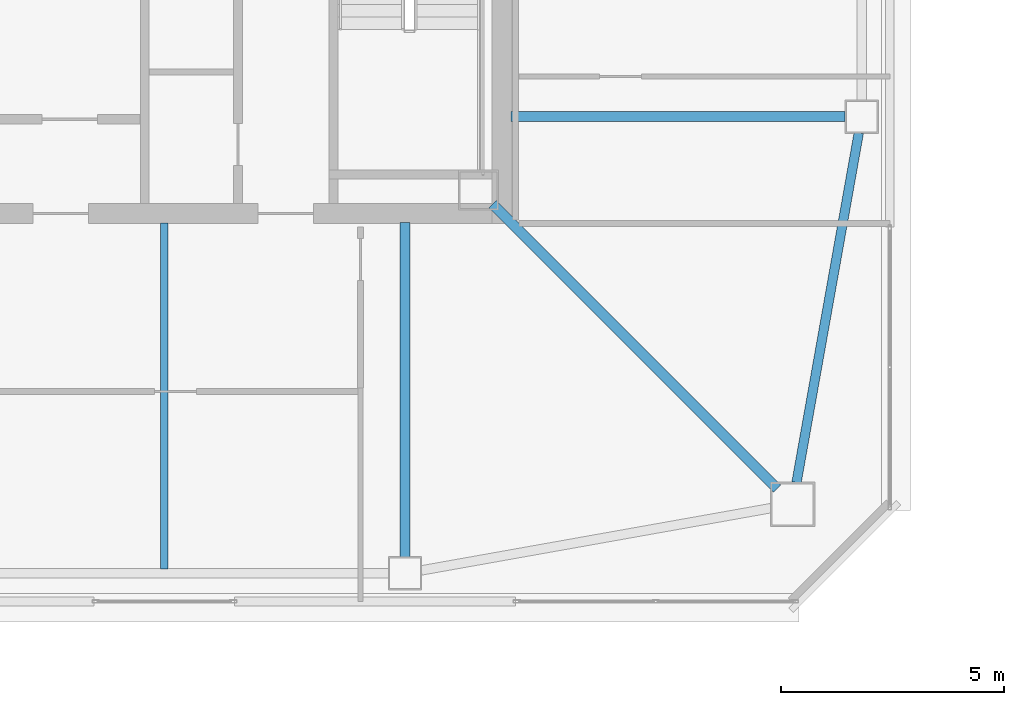
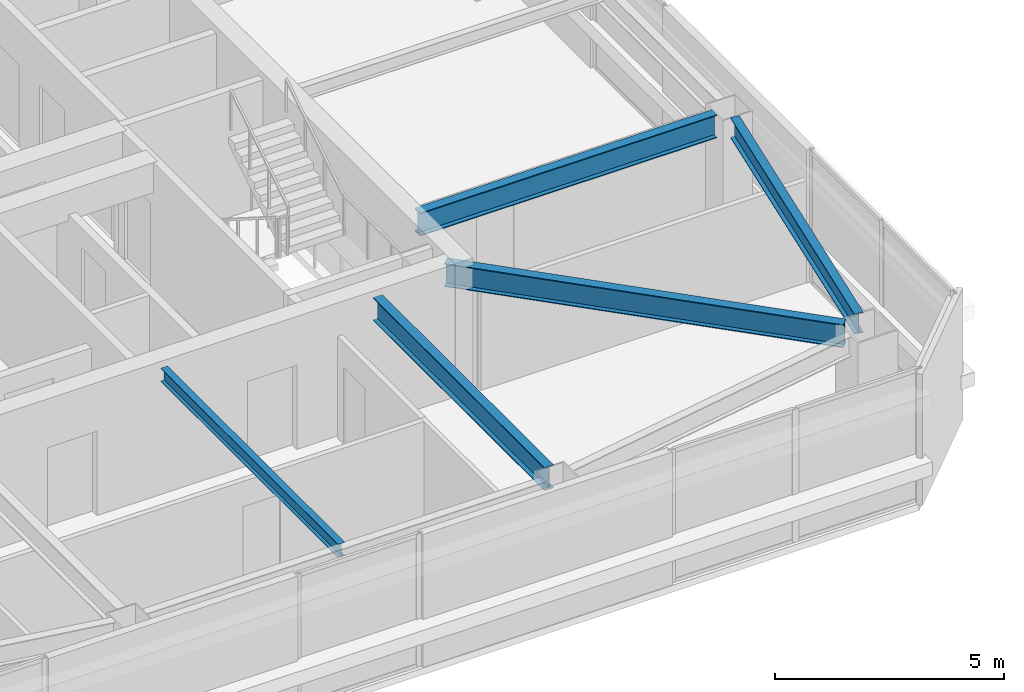
# One storey, part 8 of 44: 5 beams.
"""IFC4 building model written with IfcOpenShell, lengths in metres."""

import ifcopenshell
import ifcopenshell.guid

model = None  # the IFC model being written
_history = None  # IfcOwnerHistory: only IFC2X3 demands one
_inside = {}  # id of a spatial element -> (the spatial element, [elements in it])
_under = {}  # id of a project, library or spatial element -> (it, [spatial elements below it])
_declared = {}  # id of a project -> (the project, [libraries it declares])
_typed = {}  # id of a type object -> (the type object, [elements of that type])
_made_of = {}  # id of a material, layer set ... -> (it, [elements and type objects made of it])


def new_model(schema):
    """Start an empty IFC model of exactly this schema.

    Asked for "IFC4X3", IfcOpenShell would pick the latest addendum, in which some entities
    have other attributes; the version numbers below select the first issue.
    IFC2X3 requires an IfcOwnerHistory on every rooted entity: one is made here for all.
    """
    global model, _history
    if schema == "IFC4X3":
        model = ifcopenshell.file(schema_version=(4, 3, 0, 0))
    else:
        model = ifcopenshell.file(schema=schema)
    _inside.clear()
    _under.clear()
    _declared.clear()
    _typed.clear()
    _made_of.clear()
    _history = None
    if model.schema == "IFC2X3":
        org = make("IfcOrganization", Name="unknown")
        user = make(
            "IfcPersonAndOrganization",
            ThePerson=make("IfcPerson", FamilyName="unknown"),
            TheOrganization=org,
        )
        app = make(
            "IfcApplication",
            ApplicationDeveloper=org,
            Version="unknown",
            ApplicationFullName="unknown",
            ApplicationIdentifier="unknown",
        )
        _history = make(
            "IfcOwnerHistory",
            OwningUser=user,
            OwningApplication=app,
            ChangeAction="ADDED",
            CreationDate=0,
        )
    return model


def make(cls, **values):
    """One entity of the class cls with the attributes given. An attribute that is None is left unset."""
    return model.create_entity(
        cls, **{name: value for name, value in values.items() if value is not None}
    )


def rooted(cls, **values):
    """An entity with a GlobalId (a new one), such as an element, a storey or a relation."""
    return make(cls, GlobalId=ifcopenshell.guid.new(), OwnerHistory=_history, **values)


def si_unit(unit_type, name, prefix=None):
    """IfcSIUnit, for example si_unit("LENGTHUNIT", "METRE", prefix="MILLI")."""
    return make("IfcSIUnit", UnitType=unit_type, Prefix=prefix, Name=name)


def assignment(units):
    """IfcUnitAssignment: the units of a project."""
    return None if units is None else make("IfcUnitAssignment", Units=units)


def point(xyz):
    """IfcCartesianPoint."""
    return None if xyz is None else make("IfcCartesianPoint", Coordinates=xyz)


def direction(xyz):
    """IfcDirection."""
    return None if xyz is None else make("IfcDirection", DirectionRatios=xyz)


def frame(location, z_axis=None, x_axis=None):
    """IfcAxis2Placement3D, a coordinate frame: its origin and axes. An axis left out is left unset."""
    return make(
        "IfcAxis2Placement3D",
        Location=point(location),
        Axis=direction(z_axis),
        RefDirection=direction(x_axis),
    )


def frame_2d(location, x_axis=None):
    """IfcAxis2Placement2D, a coordinate frame in the plane: its origin and x axis."""
    return make(
        "IfcAxis2Placement2D", Location=point(location), RefDirection=direction(x_axis)
    )


def origin():
    """The frame at (0, 0, 0) with its axes left unset."""
    return frame((0.0, 0.0, 0.0))


def origin_2d():
    """The frame at (0, 0) in the plane with its x axis left unset."""
    return frame_2d((0.0, 0.0))


def place(relative_to, where):
    """IfcLocalPlacement: puts the frame where relative to a parent placement (None: the world)."""
    return make(
        "IfcLocalPlacement", PlacementRelTo=relative_to, RelativePlacement=where
    )


def context(
    kind, dimensions, precision=None, world=None, true_north=None, identifier=None
):
    """IfcGeometricRepresentationContext, for example the 3D "Model" context."""
    return make(
        "IfcGeometricRepresentationContext",
        ContextIdentifier=identifier,
        ContextType=kind,
        CoordinateSpaceDimension=dimensions,
        Precision=precision,
        WorldCoordinateSystem=world,
        TrueNorth=true_north,
    )


def subcontext(parent, identifier, kind, view, scale=None):
    """IfcGeometricRepresentationSubContext, for example "Body" below "Model"."""
    return make(
        "IfcGeometricRepresentationSubContext",
        ContextIdentifier=identifier,
        ContextType=kind,
        ParentContext=parent,
        TargetScale=scale,
        TargetView=view,
    )


def project(units=None, contexts=None):
    """IfcProject with its units and contexts."""
    return rooted(
        "IfcProject",
        Name="project",
        RepresentationContexts=contexts,
        UnitsInContext=assignment(units),
    )


def spatial(cls, under=None, at=None, **own):
    """A site, building, storey or space (cls), placed at a placement, below another one or the project."""
    s = rooted(cls, ObjectPlacement=at, **own)
    if under is not None:
        _under.setdefault(under.id(), (under, []))[1].append(s)
    return s


def profile(cls, at=None, kind="AREA", **sizes):
    """A parametric profile (cls). Its sizes go by their IFC names, for example OverallWidth=200.0."""
    return make(cls, ProfileType=kind, Position=at, **sizes)


def i_section(**sizes):
    """IfcIShapeProfileDef."""
    return profile("IfcIShapeProfileDef", **sizes)


def extrude(swept, where, along, depth):
    """IfcExtrudedAreaSolid: the profile swept, set in the frame where, extruded along a direction by depth."""
    return make(
        "IfcExtrudedAreaSolid",
        SweptArea=swept,
        Position=where,
        ExtrudedDirection=direction(along),
        Depth=depth,
    )


def shape(context_of_items, identifier, shape_type, items):
    """IfcShapeRepresentation: the items that make up one representation, for example the "Body"."""
    return make(
        "IfcShapeRepresentation",
        ContextOfItems=context_of_items,
        RepresentationIdentifier=identifier,
        RepresentationType=shape_type,
        Items=items,
    )


def material(Name=None, Category=None):
    """IfcMaterial."""
    return make("IfcMaterial", Name=Name, Category=Category)


def material_profile(
    of_material, cross_section, Name=None, Category=None, Priority=None
):
    """IfcMaterialProfile: a cross section and its material."""
    return make(
        "IfcMaterialProfile",
        Name=Name,
        Material=of_material,
        Profile=cross_section,
        Priority=Priority,
        Category=Category,
    )


def profile_set(profiles, Name=None, composite=None):
    """IfcMaterialProfileSet."""
    return make(
        "IfcMaterialProfileSet",
        Name=Name,
        MaterialProfiles=profiles,
        CompositeProfile=composite,
    )


def made_of(thing, what):
    """Note that an element or type object is made of a material, layer set ...; save() writes the relation."""
    if what is not None:
        _made_of.setdefault(what.id(), (what, []))[1].append(thing)
    return thing


def type_object(cls, material=None, **own):
    """A type object (cls), such as IfcWallType, which elements share."""
    return made_of(rooted(cls, **own), material)


def element(
    cls,
    number,
    at=None,
    inside=None,
    cuts=None,
    type_object=None,
    material=None,
    context=None,
    identifier="Body",
    shape_type=None,
    held_by="IfcProductDefinitionShape",
    body=None,
    shapes=None,
    **own,
):
    """One element of the class cls, such as IfcWall. Its Tag is "e" and its number.

    at: its placement. inside: the storey or other place that contains it. cuts: it is an
    opening in that element (IfcRelVoidsElement). A single representation is given by context,
    identifier, shape_type and body (its items); several are given by shapes. held_by: the class
    of the entity that holds the representations. save() writes the other relations.
    """
    e = rooted(cls, Tag="e%d" % number, ObjectPlacement=at, **own)
    if body is not None:
        shapes = [shape(context, identifier, shape_type, body)]
    if shapes is not None:
        e.Representation = make(held_by, Representations=shapes)
    if inside is not None:
        _inside.setdefault(inside.id(), (inside, []))[1].append(e)
    if cuts is not None:
        rooted(
            "IfcRelVoidsElement", RelatingBuildingElement=cuts, RelatedOpeningElement=e
        )
    if type_object is not None:
        _typed.setdefault(type_object.id(), (type_object, []))[1].append(e)
    return made_of(e, material)


def aggregate(whole, parts):
    """IfcRelAggregates: a whole, such as a stair, and the parts it consists of."""
    return rooted("IfcRelAggregates", RelatingObject=whole, RelatedObjects=parts)


def save(model, path):
    """Write the relations noted so far, then the file.

    IfcRelAggregates (storeys below a building ...), IfcRelContainedInSpatialStructure (elements
    in a storey), IfcRelDefinesByType, IfcRelAssociatesMaterial and IfcRelDeclares: one each for
    every whole, place, type object, material and project.
    """
    for whole, parts in _under.values():
        aggregate(whole, parts)
    for where, things in _inside.values():
        rooted(
            "IfcRelContainedInSpatialStructure",
            RelatedElements=things,
            RelatingStructure=where,
        )
    for kind, things in _typed.values():
        rooted("IfcRelDefinesByType", RelatedObjects=things, RelatingType=kind)
    for what, things in _made_of.values():
        rooted("IfcRelAssociatesMaterial", RelatedObjects=things, RelatingMaterial=what)
    for by, libraries in _declared.values():
        rooted("IfcRelDeclares", RelatingContext=by, RelatedDefinitions=libraries)
    model.write(path)


model = new_model("IFC4")

# Units and contexts
model_context = context("Model", 3, precision=1e-05, world=origin(), true_north=direction((0.0, 1.0)))
body_context = subcontext(model_context, "Body", "Model", "MODEL_VIEW")
ifc_project = project(units=[si_unit("LENGTHUNIT", "METRE"), si_unit("AREAUNIT", "SQUARE_METRE"), si_unit("VOLUMEUNIT", "CUBIC_METRE"), si_unit("PLANEANGLEUNIT", "RADIAN"), si_unit("MASSUNIT", "GRAM", prefix="KILO")], contexts=[model_context])

# Site, building, storey
site_placement = place(None, origin())
site = spatial("IfcSite", under=ifc_project, at=site_placement, CompositionType="ELEMENT")
building_placement = place(site_placement, origin())
building = spatial("IfcBuilding", under=site, at=building_placement, Name="Tashvorn Skyway Center", CompositionType="ELEMENT")
storey_placement = place(building_placement, frame((0.0, 0.0, 211.300048828125)))
storey = spatial("IfcBuildingStorey", under=building, at=storey_placement, Name="L57", CompositionType="ELEMENT", Elevation=211.300048828125)

# Beams
ifc_material = material(Name="Steel ASTM A992 Grade 50", Category="steel")
ifc_material_profile_1 = material_profile(ifc_material, i_section(OverallWidth=0.22998046875, OverallDepth=0.616943359375, WebThickness=0.01318359375, FlangeThickness=0.022216796875, at=origin_2d()), Name="W24X94")
ifc_profile_set_1 = profile_set([ifc_material_profile_1], Name="Steel ASTM A992 Grade 50")
beam_type_1 = type_object("IfcBeamType", Name="BM-BEAM-W24X94", PredefinedType="BEAM", material=ifc_profile_set_1)
beam_1_placement = place(storey_placement, frame((55.75, 18.25, 3.0615234375), z_axis=(-0.707106781187, 0.707106781187, 0.0), x_axis=(-0.707106781187, -0.707106781187, 0.0)))
element("IfcBeam", 1, at=beam_1_placement, inside=storey, type_object=beam_type_1, Name="Tower 1 L57 Primary Floor Girder MC-SE", PredefinedType="BEAM", context=body_context, shape_type="SweptSolid", body=[
    extrude(i_section(OverallWidth=0.22998046875, OverallDepth=0.616943359375, WebThickness=0.01318359375, FlangeThickness=0.022216796875, at=origin_2d()), origin(), (0.0, 0.0, 1.0), 9.030029296875),
])
for number, where, z_axis, x_axis, name in (
    (2, (47.39990234375, 16.719970703125, 3.0615234375), (0.0, 1.0, 0.0), (-1.0, 0.0, 0.0), "Tower 1 L57 Primary Floor Girder FC-S2"),
    (3, (57.280029296875, 26.60009765625, 3.0615234375), (-1.0, 0.0, 0.0), (0.0, -1.0, 0.0), "Tower 1 L57 Primary Floor Girder FC-E1"),
):
    element("IfcBeam", number, at=place(storey_placement, frame(where, z_axis=z_axis, x_axis=x_axis)), inside=storey, type_object=beam_type_1, Name=name, PredefinedType="BEAM", context=body_context, shape_type="SweptSolid", body=[
        extrude(i_section(OverallWidth=0.22998046875, OverallDepth=0.616943359375, WebThickness=0.01318359375, FlangeThickness=0.022216796875, at=origin_2d()), origin(), (0.0, 0.0, 1.0), 7.5),
    ])
ifc_material_profile_2 = material_profile(ifc_material, i_section(OverallWidth=0.1708984375, OverallDepth=0.35498046875, WebThickness=0.007080078125, FlangeThickness=0.01171875, at=origin_2d()), Name="W14X34")
ifc_profile_set_2 = profile_set([ifc_material_profile_2], Name="Steel ASTM A992 Grade 50")
beam_type_2 = type_object("IfcBeamType", Name="BM-JOIST-W14X34", PredefinedType="JOIST", material=ifc_profile_set_2)
beam_2_placement = place(storey_placement, frame((42.0, 24.2099609375, 3.1923828125), z_axis=(0.0, -1.0, 0.0), x_axis=(1.0, 0.0, 0.0)))
element("IfcBeam", 4, at=beam_2_placement, inside=storey, type_object=beam_type_2, Name="Tower 1 L57 Secondary Composite Joist JS", PredefinedType="JOIST", context=body_context, shape_type="SweptSolid", body=[
    extrude(i_section(OverallWidth=0.1708984375, OverallDepth=0.35498046875, WebThickness=0.007080078125, FlangeThickness=0.01171875, at=origin_2d()), origin(), (0.0, 0.0, 1.0), 7.762451171875),
])
ifc_material_profile_3 = material_profile(ifc_material, i_section(OverallWidth=0.2109375, OverallDepth=0.5390625, WebThickness=0.01171875, FlangeThickness=0.018798828125, at=origin_2d()), Name="W21X73")
ifc_profile_set_3 = profile_set([ifc_material_profile_3], Name="Steel ASTM A992 Grade 50")
beam_type_3 = type_object("IfcBeamType", Name="BM-SPANDREL-W21X73", PredefinedType="SPANDREL", material=ifc_profile_set_3)
beam_3_placement = place(storey_placement, frame((56.186767578125, 18.38720703125, 3.100341796875), z_axis=(0.17541329759, 0.984494883191, 0.0), x_axis=(-0.984494883191, 0.17541329759, 0.0)))
element("IfcBeam", 5, at=beam_3_placement, inside=storey, type_object=beam_type_3, Name="Tower 1 L57 Spandrel Beam 04", PredefinedType="SPANDREL", context=body_context, shape_type="SweptSolid", body=[
    extrude(i_section(OverallWidth=0.2109375, OverallDepth=0.5390625, WebThickness=0.01171875, FlangeThickness=0.018798828125, at=origin_2d()), origin(), (0.0, 0.0, 1.0), 7.97216796875),
])

save(model, "model.ifc")
